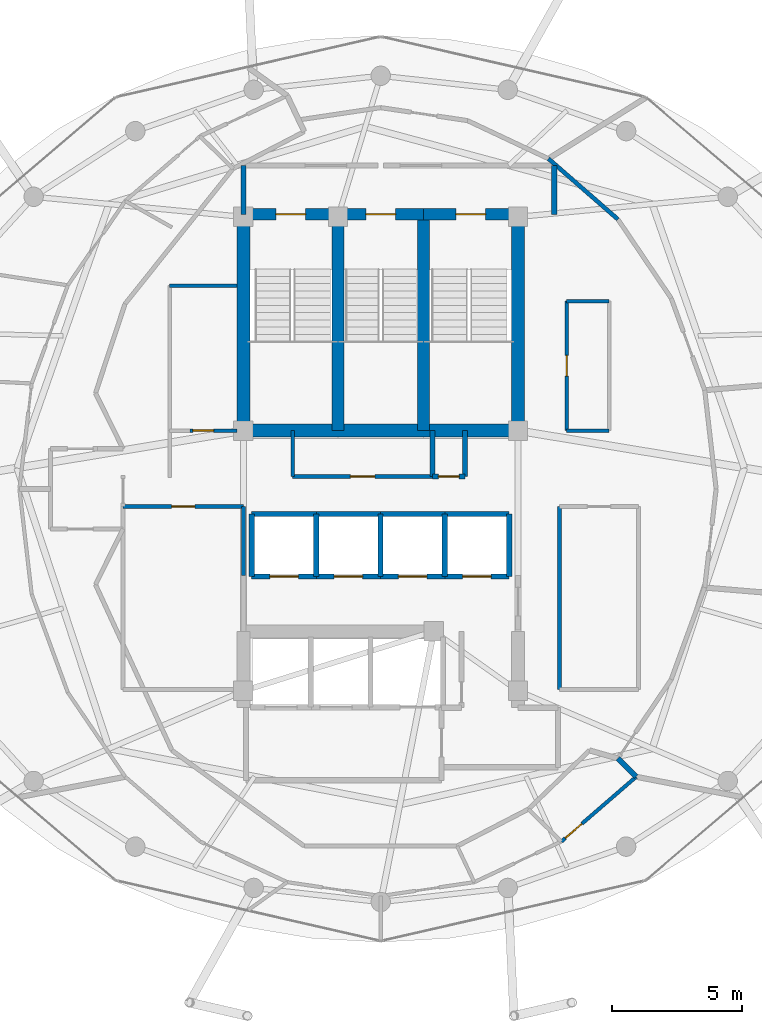
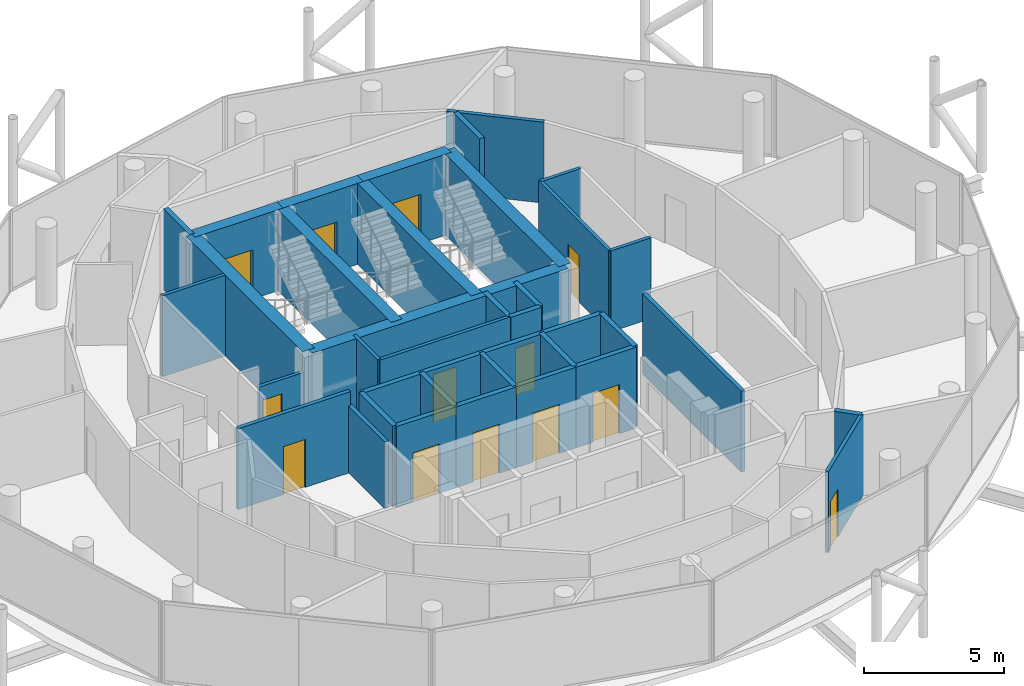
# One storey, part 21 of 24: 39 walls, 13 doors, 13 openings.
"""IFC4 building model written with IfcOpenShell, lengths in metres."""

from ifc_helpers import new_model, si_unit, direction, frame, frame_2d, origin, place, context, subcontext, project, spatial, rectangle, extrude, material, layer, layer_set, type_object, element, fill, save


model = new_model("IFC4")

# Units and contexts
model_context = context("Model", 3, precision=1e-05, world=origin(), true_north=direction((0.0, 1.0)))
body_context = subcontext(model_context, "Body", "Model", "MODEL_VIEW")
ifc_project = project(units=[si_unit("LENGTHUNIT", "METRE"), si_unit("AREAUNIT", "SQUARE_METRE"), si_unit("VOLUMEUNIT", "CUBIC_METRE"), si_unit("PLANEANGLEUNIT", "RADIAN"), si_unit("MASSUNIT", "GRAM", prefix="KILO")], contexts=[model_context])

# Site, building, storey
site_placement = place(None, origin())
site = spatial("IfcSite", under=ifc_project, at=site_placement, CompositionType="ELEMENT")
building_placement = place(site_placement, origin())
building = spatial("IfcBuilding", under=site, at=building_placement, Name="Nuhasar Tower", CompositionType="ELEMENT")
storey_placement = place(building_placement, frame((0.0, 0.0, 286.0)))
storey = spatial("IfcBuildingStorey", under=building, at=storey_placement, Name="L71", CompositionType="ELEMENT", Elevation=286.0)

# Wall, opening, door
ifc_material_1 = material(Name="Concrete C50/60", Category="concrete")
ifc_layer_1 = layer(ifc_material_1, 0.449951171875)
ifc_layer_set_1 = layer_set([ifc_layer_1], Name="Concrete C50/60")
wall_type_1 = type_object("IfcWallType", Name="WL-CORE-450", PredefinedType="SHEAR", material=ifc_layer_set_1)
wall_1_placement = place(storey_placement, frame((37.35009765625, 37.39990234375, 0.0), z_axis=(0.0, 0.0, 1.0), x_axis=(-1.0, 0.0, 0.0)))
wall_1 = element("IfcWall", 1, at=wall_1_placement, inside=storey, type_object=wall_type_1, Name="L71 Stairwell Shear Wall ST01-N", PredefinedType="SHEAR", context=body_context, shape_type="SweptSolid", body=[
    extrude(rectangle(XDim=3.650146484375, YDim=0.449951171875, at=frame_2d((1.8251953125, 0.0))), origin(), (0.0, 0.0, 1.0), 3.5400390625),
])
opening_1_placement = place(wall_1_placement, frame((1.25, 0.0, 0.0)))
opening_1 = element("IfcOpeningElement", 2, at=opening_1_placement, cuts=wall_1, Name="Opening DS-01", PredefinedType="OPENING", context=body_context, shape_type="SweptSolid", body=[
    extrude(rectangle(XDim=1.14990234375, YDim=2.14990234375, at=frame_2d((0.574951171875, 1.074951171875))), frame((0.0, 0.23486328125, 0.0), z_axis=(0.0, -1.0, 0.0), x_axis=(1.0, 0.0, 0.0)), (0.0, 0.0, 1.0), 0.469970703125),
])
ifc_material_2 = material(Name="Steel S355", Category="steel")
door_type_1 = type_object("IfcDoorType", Name="DR-STAIR-FD120-1150", OperationType="NOTDEFINED", PredefinedType="DOOR", material=ifc_material_2)
door_1_placement = place(opening_1_placement, origin())
door_1 = element("IfcDoor", 3, at=door_1_placement, inside=storey, type_object=door_type_1, Name="L71 Exit Stair ST-01 Door", OperationType="SINGLE_SWING_RIGHT", OverallHeight=2.14990234375, OverallWidth=1.14990234375, PredefinedType="DOOR", context=body_context, shape_type="SweptSolid", body=[
    extrude(rectangle(XDim=1.14990234375, YDim=2.14990234375, at=frame_2d((0.574951171875, 1.074951171875))), frame((0.0, 0.02490234375, 0.0), z_axis=(0.0, -1.0, 0.0), x_axis=(1.0, 0.0, 0.0)), (0.0, 0.0, 1.0), 0.050048828125),
])
fill(opening_1, door_1)

# Wall
wall_2_placement = place(storey_placement, frame((37.35009765625, 29.050048828125, 0.0), z_axis=(0.0, 0.0, 1.0), x_axis=(0.0, 1.0, 0.0)))
element("IfcWall", 4, at=wall_2_placement, inside=storey, type_object=wall_type_1, Name="L71 Stairwell Shear Wall ST01-E", PredefinedType="SHEAR", context=body_context, shape_type="SweptSolid", body=[
    extrude(rectangle(XDim=8.349853515625, YDim=0.449951171875, at=frame_2d((4.1748046875, 0.0))), origin(), (0.0, 0.0, 1.0), 3.5400390625),
])

# Wall, opening, door
wall_3_placement = place(storey_placement, frame((40.64990234375, 37.39990234375, 0.0), z_axis=(0.0, 0.0, 1.0), x_axis=(-1.0, 0.0, 0.0)))
wall_3 = element("IfcWall", 5, at=wall_3_placement, inside=storey, type_object=wall_type_1, Name="L71 Stairwell Shear Wall ST03-N", PredefinedType="SHEAR", context=body_context, shape_type="SweptSolid", body=[
    extrude(rectangle(XDim=3.2998046875, YDim=0.449951171875, at=frame_2d((1.64990234375, 0.0))), origin(), (0.0, 0.0, 1.0), 3.5400390625),
])
opening_2_placement = place(wall_3_placement, frame((1.074951171875, 0.0, 0.0)))
opening_2 = element("IfcOpeningElement", 6, at=opening_2_placement, cuts=wall_3, Name="Opening DS-01", PredefinedType="OPENING", context=body_context, shape_type="SweptSolid", body=[
    extrude(rectangle(XDim=1.14990234375, YDim=2.14990234375, at=frame_2d((0.574951171875, 1.074951171875))), frame((0.0, 0.23486328125, 0.0), z_axis=(0.0, -1.0, 0.0), x_axis=(1.0, 0.0, 0.0)), (0.0, 0.0, 1.0), 0.469970703125),
])
door_2_placement = place(opening_2_placement, origin())
door_2 = element("IfcDoor", 7, at=door_2_placement, inside=storey, type_object=door_type_1, Name="L71 Exit Stair ST-03 Door", OperationType="SINGLE_SWING_RIGHT", OverallHeight=2.14990234375, OverallWidth=1.14990234375, PredefinedType="DOOR", context=body_context, shape_type="SweptSolid", body=[
    extrude(rectangle(XDim=1.14990234375, YDim=2.14990234375, at=frame_2d((0.574951171875, 1.074951171875))), frame((0.0, 0.02490234375, 0.0), z_axis=(0.0, -1.0, 0.0), x_axis=(1.0, 0.0, 0.0)), (0.0, 0.0, 1.0), 0.050048828125),
])
fill(opening_2, door_2)

# Wall
wall_4_placement = place(storey_placement, frame((40.64990234375, 29.050048828125, 0.0), z_axis=(0.0, 0.0, 1.0), x_axis=(0.0, 1.0, 0.0)))
element("IfcWall", 8, at=wall_4_placement, inside=storey, type_object=wall_type_1, Name="L71 Stairwell Shear Wall ST03-E", PredefinedType="SHEAR", context=body_context, shape_type="SweptSolid", body=[
    extrude(rectangle(XDim=8.349853515625, YDim=0.449951171875, at=frame_2d((4.1748046875, 0.0))), origin(), (0.0, 0.0, 1.0), 3.5400390625),
])

# Wall, opening, door
wall_5_placement = place(storey_placement, frame((44.300048828125, 37.39990234375, 0.0), z_axis=(0.0, 0.0, 1.0), x_axis=(-1.0, 0.0, 0.0)))
wall_5 = element("IfcWall", 9, at=wall_5_placement, inside=storey, type_object=wall_type_1, Name="L71 Stairwell Shear Wall ST02-N", PredefinedType="SHEAR", context=body_context, shape_type="SweptSolid", body=[
    extrude(rectangle(XDim=3.650146484375, YDim=0.449951171875, at=frame_2d((1.8251953125, 0.0))), origin(), (0.0, 0.0, 1.0), 3.5400390625),
])
opening_3_placement = place(wall_5_placement, frame((1.25, 0.0, 0.0)))
opening_3 = element("IfcOpeningElement", 10, at=opening_3_placement, cuts=wall_5, Name="Opening DS-01", PredefinedType="OPENING", context=body_context, shape_type="SweptSolid", body=[
    extrude(rectangle(XDim=1.14990234375, YDim=2.14990234375, at=frame_2d((0.574951171875, 1.074951171875))), frame((0.0, 0.23486328125, 0.0), z_axis=(0.0, -1.0, 0.0), x_axis=(1.0, 0.0, 0.0)), (0.0, 0.0, 1.0), 0.469970703125),
])
door_3_placement = place(opening_3_placement, origin())
door_3 = element("IfcDoor", 11, at=door_3_placement, inside=storey, type_object=door_type_1, Name="L71 Exit Stair ST-02 Door", OperationType="SINGLE_SWING_LEFT", OverallHeight=2.14990234375, OverallWidth=1.14990234375, PredefinedType="DOOR", context=body_context, shape_type="SweptSolid", body=[
    extrude(rectangle(XDim=1.14990234375, YDim=2.14990234375, at=frame_2d((0.574951171875, 1.074951171875))), frame((0.0, 0.02490234375, 0.0), z_axis=(0.0, -1.0, 0.0), x_axis=(1.0, 0.0, 0.0)), (0.0, 0.0, 1.0), 0.050048828125),
])
fill(opening_3, door_3)

# Walls
ifc_layer_2 = layer(ifc_material_1, 0.5)
ifc_layer_set_2 = layer_set([ifc_layer_2], Name="Concrete C50/60")
wall_type_2 = type_object("IfcWallType", Name="WL-CORE-500", PredefinedType="SHEAR", material=ifc_layer_set_2)
for number, where, z_axis, x_axis, name in (
    (12, (33.699951171875, 29.050048828125, 0.0), (0.0, 0.0, 1.0), (0.0, 1.0, 0.0), "L71 Core Shear Wall CW-NW CW-500"),
    (13, (44.300048828125, 29.050048828125, 0.0), (0.0, 0.0, 1.0), (0.0, 1.0, 0.0), "L71 Core Shear Wall CW-NE CW-500"),
):
    element("IfcWall", number, at=place(storey_placement, frame(where, z_axis=z_axis, x_axis=x_axis)), inside=storey, type_object=wall_type_2, Name=name, PredefinedType="SHEAR", context=body_context, shape_type="SweptSolid", body=[
        extrude(rectangle(XDim=8.349853515625, YDim=0.5, at=frame_2d((4.1748046875, 0.0))), origin(), (0.0, 0.0, 1.0), 3.5400390625),
    ])
wall_6_placement = place(storey_placement, frame((33.699951171875, 29.050048828125, 0.0), z_axis=(0.0, 0.0, 1.0), x_axis=(1.0, 0.0, 0.0)))
element("IfcWall", 14, at=wall_6_placement, inside=storey, type_object=wall_type_2, Name="L71 Core Shear Wall CW-N1 CW-500", PredefinedType="SHEAR", context=body_context, shape_type="SweptSolid", body=[
    extrude(rectangle(XDim=10.60009765625, YDim=0.5, at=frame_2d((5.300048828125, 0.0))), origin(), (0.0, 0.0, 1.0), 3.5400390625),
])
ifc_material_3 = material(Name="Gypsum Board", Category="gypsum")
ifc_layer_3 = layer(ifc_material_3, 0.159912109375)
ifc_layer_set_3 = layer_set([ifc_layer_3], Name="Gypsum Board")
wall_type_3 = type_object("IfcWallType", Name="WL-CORR-160", PredefinedType="PARTITIONING", material=ifc_layer_set_3)
wall_7_placement = place(storey_placement, frame((33.699951171875, 23.449951171875, 0.0), z_axis=(0.0, 0.0, 1.0), x_axis=(0.0, 1.0, 0.0)))
element("IfcWall", 15, at=wall_7_placement, inside=storey, type_object=wall_type_3, Name="L71 Interior Partition RECL-B1-E", PredefinedType="PARTITIONING", context=body_context, shape_type="SweptSolid", body=[
    extrude(rectangle(XDim=2.670166015625, YDim=0.159912109375, at=frame_2d((1.3349609375, 0.0))), origin(), (0.0, 0.0, 1.0), 2.925048828125),
])

# Wall, opening, door
wall_8_placement = place(storey_placement, frame((33.699951171875, 26.1201171875, 0.0), z_axis=(0.0, 0.0, 1.0), x_axis=(-1.0, 0.0, 0.0)))
wall_8 = element("IfcWall", 16, at=wall_8_placement, inside=storey, type_object=wall_type_3, Name="L71 Interior Partition RECL-B1-N", PredefinedType="PARTITIONING", context=body_context, shape_type="SweptSolid", body=[
    extrude(rectangle(XDim=4.64990234375, YDim=0.159912109375, at=frame_2d((2.324951171875, 0.0))), origin(), (0.0, 0.0, 1.0), 3.5400390625),
])
opening_4_placement = place(wall_8_placement, frame((1.875, 0.0, 0.0)))
opening_4 = element("IfcOpeningElement", 17, at=opening_4_placement, cuts=wall_8, Name="Opening DR-01", PredefinedType="OPENING", context=body_context, shape_type="SweptSolid", body=[
    extrude(rectangle(XDim=0.89990234375, YDim=2.10009765625, at=frame_2d((0.449951171875, 1.050048828125))), frame((0.0, 0.08984375, 0.0), z_axis=(0.0, -1.0, 0.0), x_axis=(1.0, 0.0, 0.0)), (0.0, 0.0, 1.0), 0.179931640625),
])
ifc_material_4 = material(Name="Timber Oak", Category="wood")
door_type_2 = type_object("IfcDoorType", Name="DR-ROOM-900", OperationType="NOTDEFINED", PredefinedType="DOOR", material=ifc_material_4)
door_4_placement = place(opening_4_placement, origin())
door_4 = element("IfcDoor", 18, at=door_4_placement, inside=storey, type_object=door_type_2, Name="L71 Butler Store Door", OperationType="SINGLE_SWING_LEFT", OverallHeight=2.10009765625, OverallWidth=0.89990234375, PredefinedType="DOOR", context=body_context, shape_type="SweptSolid", body=[
    extrude(rectangle(XDim=0.89990234375, YDim=2.10009765625, at=frame_2d((0.449951171875, 1.050048828125))), frame((0.0, 0.02490234375, 0.0), z_axis=(0.0, -1.0, 0.0), x_axis=(1.0, 0.0, 0.0)), (0.0, 0.0, 1.0), 0.050048828125),
])
fill(opening_4, door_4)

# Walls
wall_9_placement = place(storey_placement, frame((45.89990234375, 19.050048828125, 0.0), z_axis=(0.0, 0.0, 1.0), x_axis=(0.0, 1.0, 0.0)))
element("IfcWall", 19, at=wall_9_placement, inside=storey, type_object=wall_type_3, Name="L71 Interior Partition RECL-B2-W", PredefinedType="PARTITIONING", context=body_context, shape_type="SweptSolid", body=[
    extrude(rectangle(XDim=7.070068359375, YDim=0.159912109375, at=frame_2d((3.53515625, 0.0))), origin(), (0.0, 0.0, 1.0), 3.5400390625),
])
wall_10_placement = place(storey_placement, frame((48.156982421875, 37.208984375, 0.0), z_axis=(0.0, 0.0, 1.0), x_axis=(-0.753625455067, 0.65730409513, 0.0)))
element("IfcWall", 20, at=wall_10_placement, inside=storey, type_object=wall_type_3, Name="L71 Interior Partition CORR-06", PredefinedType="PARTITIONING", context=body_context, shape_type="SweptSolid", body=[
    extrude(rectangle(XDim=3.55859375, YDim=0.159912109375, at=frame_2d((1.779296875, 0.0))), origin(), (0.0, 0.0, 1.0), 3.5400390625),
])
ifc_material_5 = material(Name="Concrete C45/55", Category="concrete")
ifc_layer_4 = layer(ifc_material_5, 0.199951171875)
ifc_layer_set_4 = layer_set([ifc_layer_4], Name="Concrete C45/55")
wall_type_4 = type_object("IfcWallType", Name="WL-LOBBY-200", PredefinedType="SOLIDWALL", material=ifc_layer_set_4)
for number, where, z_axis, x_axis, name in (
    (21, (33.699951171875, 37.39990234375, 0.0), (0.0, 0.0, 1.0), (0.0, 1.0, 0.0), "L71 Interior Partition NSL-W"),
    (22, (45.699951171875, 37.39990234375, 0.0), (0.0, 0.0, 1.0), (0.0, 1.0, 0.0), "L71 Interior Partition NSL-E"),
):
    element("IfcWall", number, at=place(storey_placement, frame(where, z_axis=z_axis, x_axis=x_axis)), inside=storey, type_object=wall_type_4, Name=name, PredefinedType="SOLIDWALL", context=body_context, shape_type="SweptSolid", body=[
        extrude(rectangle(XDim=1.880126953125, YDim=0.199951171875, at=frame_2d((0.93994140625, 0.0))), origin(), (0.0, 0.0, 1.0), 3.5400390625),
    ])
ifc_layer_5 = layer(ifc_material_5, 0.199951171875)
ifc_layer_set_5 = layer_set([ifc_layer_5], Name="Concrete C45/55")
wall_type_5 = type_object("IfcWallType", Name="WL-SHAFT-200", PredefinedType="SOLIDWALL", material=ifc_layer_set_5)
for number, where, z_axis, x_axis, name in (
    (23, (41.0, 27.280029296875, 0.0), (0.0, 0.0, 1.0), (0.0, 1.0, 0.0), "L71 Interior Partition RSRN-W"),
    (24, (42.260009765625, 27.280029296875, 0.0), (0.0, 0.0, 1.0), (0.0, 1.0, 0.0), "L71 Interior Partition RSRN-E"),
):
    element("IfcWall", number, at=place(storey_placement, frame(where, z_axis=z_axis, x_axis=x_axis)), inside=storey, type_object=wall_type_5, Name=name, PredefinedType="SOLIDWALL", context=body_context, shape_type="SweptSolid", body=[
        extrude(rectangle(XDim=1.77001953125, YDim=0.199951171875, at=frame_2d((0.885009765625, 0.0))), origin(), (0.0, 0.0, 1.0), 3.5400390625),
    ])

# Wall, opening, door
wall_11_placement = place(storey_placement, frame((41.0, 27.280029296875, 0.0), z_axis=(0.0, 0.0, 1.0), x_axis=(1.0, 0.0, 0.0)))
wall_11 = element("IfcWall", 25, at=wall_11_placement, inside=storey, type_object=wall_type_5, Name="L71 Interior Partition RSRN-S", PredefinedType="SOLIDWALL", context=body_context, shape_type="SweptSolid", body=[
    extrude(rectangle(XDim=1.260009765625, YDim=0.199951171875, at=frame_2d((0.6298828125, 0.0))), origin(), (0.0, 0.0, 1.0), 3.5400390625),
])
opening_5_placement = place(wall_11_placement, frame((0.22998046875, 0.0, 0.0)))
opening_5 = element("IfcOpeningElement", 26, at=opening_5_placement, cuts=wall_11, Name="Opening DM-01", PredefinedType="OPENING", context=body_context, shape_type="SweptSolid", body=[
    extrude(rectangle(XDim=0.800048828125, YDim=2.050048828125, at=frame_2d((0.39990234375, 1.02490234375))), frame((0.0, 0.10986328125, 0.0), z_axis=(0.0, -1.0, 0.0), x_axis=(1.0, 0.0, 0.0)), (0.0, 0.0, 1.0), 0.219970703125),
])
door_type_3 = type_object("IfcDoorType", Name="DR-RISER-FD60-800", OperationType="NOTDEFINED", PredefinedType="DOOR", material=ifc_material_2)
door_5_placement = place(opening_5_placement, origin())
door_5 = element("IfcDoor", 27, at=door_5_placement, inside=storey, type_object=door_type_3, Name="L71 North Smoke Riser Door", OperationType="SINGLE_SWING_RIGHT", OverallHeight=2.050048828125, OverallWidth=0.800048828125, PredefinedType="DOOR", context=body_context, shape_type="SweptSolid", body=[
    extrude(rectangle(XDim=0.800048828125, YDim=2.050048828125, at=frame_2d((0.39990234375, 1.02490234375))), frame((0.0, 0.02490234375, 0.0), z_axis=(0.0, -1.0, 0.0), x_axis=(1.0, 0.0, 0.0)), (0.0, 0.0, 1.0), 0.050048828125),
])
fill(opening_5, door_5)

wall_12_placement = place(storey_placement, frame((34.02001953125, 23.419921875, 0.0), z_axis=(0.0, 0.0, 1.0), x_axis=(1.0, 0.0, 0.0)))
wall_12 = element("IfcWall", 28, at=wall_12_placement, inside=storey, type_object=wall_type_5, Name="L71 Interior Partition SHF-PL-H01-S", PredefinedType="SOLIDWALL", context=body_context, shape_type="SweptSolid", body=[
    extrude(rectangle(XDim=2.5, YDim=0.199951171875, at=frame_2d((1.25, 0.0))), origin(), (0.0, 0.0, 1.0), 3.5400390625),
])
opening_6_placement = place(wall_12_placement, frame((0.699951171875, 0.0, 0.0)))
opening_6 = element("IfcOpeningElement", 29, at=opening_6_placement, cuts=wall_12, Name="Opening LD-H01", PredefinedType="OPENING", context=body_context, shape_type="SweptSolid", body=[
    extrude(rectangle(XDim=1.10009765625, YDim=2.14990234375, at=frame_2d((0.550048828125, 1.074951171875))), frame((0.0, 0.10986328125, 0.0), z_axis=(0.0, -1.0, 0.0), x_axis=(1.0, 0.0, 0.0)), (0.0, 0.0, 1.0), 0.219970703125),
])
ifc_material_6 = material(Name="Stainless Steel 316L", Category="steel")
door_type_4 = type_object("IfcDoorType", Name="LD-PAX-1100", OperationType="DOUBLE_DOOR_SLIDING", PredefinedType="DOOR", material=ifc_material_6)
door_6_placement = place(opening_6_placement, origin())
door_6 = element("IfcDoor", 30, at=door_6_placement, inside=storey, type_object=door_type_4, Name="L71 Lift Landing Door PL-H01", OperationType="DOUBLE_DOOR_SLIDING", OverallHeight=2.14990234375, OverallWidth=1.10009765625, PredefinedType="DOOR", context=body_context, shape_type="SweptSolid", body=[
    extrude(rectangle(XDim=1.10009765625, YDim=2.14990234375, at=frame_2d((0.550048828125, 1.074951171875))), frame((0.0, 0.02490234375, 0.0), z_axis=(0.0, -1.0, 0.0), x_axis=(1.0, 0.0, 0.0)), (0.0, 0.0, 1.0), 0.050048828125),
])
fill(opening_6, door_6)

# Walls
wall_13_placement = place(storey_placement, frame((34.02001953125, 25.830078125, 0.0), z_axis=(0.0, 0.0, 1.0), x_axis=(1.0, 0.0, 0.0)))
element("IfcWall", 31, at=wall_13_placement, inside=storey, type_object=wall_type_5, Name="L71 Interior Partition SHF-PL-H01-N", PredefinedType="SOLIDWALL", context=body_context, shape_type="SweptSolid", body=[
    extrude(rectangle(XDim=2.5, YDim=0.199951171875, at=frame_2d((1.25, 0.0))), origin(), (0.0, 0.0, 1.0), 3.5400390625),
])
for number, where, z_axis, x_axis, name in (
    (32, (34.02001953125, 23.419921875, 0.0), (0.0, 0.0, 1.0), (0.0, 1.0, 0.0), "L71 Interior Partition SHF-PL-H01-W"),
    (33, (36.510009765625, 23.419921875, 0.0), (0.0, 0.0, 1.0), (0.0, 1.0, 0.0), "L71 Interior Partition SHF-PL-H01-E"),
):
    element("IfcWall", number, at=place(storey_placement, frame(where, z_axis=z_axis, x_axis=x_axis)), inside=storey, type_object=wall_type_5, Name=name, PredefinedType="SOLIDWALL", context=body_context, shape_type="SweptSolid", body=[
        extrude(rectangle(XDim=2.41015625, YDim=0.199951171875, at=frame_2d((1.205078125, 0.0))), origin(), (0.0, 0.0, 1.0), 3.5400390625),
    ])

# Wall, opening, door
wall_14_placement = place(storey_placement, frame((36.5, 23.419921875, 0.0), z_axis=(0.0, 0.0, 1.0), x_axis=(1.0, 0.0, 0.0)))
wall_14 = element("IfcWall", 34, at=wall_14_placement, inside=storey, type_object=wall_type_5, Name="L71 Interior Partition SHF-PL-H02-S", PredefinedType="SOLIDWALL", context=body_context, shape_type="SweptSolid", body=[
    extrude(rectangle(XDim=2.5, YDim=0.199951171875, at=frame_2d((1.25, 0.0))), origin(), (0.0, 0.0, 1.0), 3.5400390625),
])
opening_7_placement = place(wall_14_placement, frame((0.699951171875, 0.0, 0.0)))
opening_7 = element("IfcOpeningElement", 35, at=opening_7_placement, cuts=wall_14, Name="Opening LD-H02", PredefinedType="OPENING", context=body_context, shape_type="SweptSolid", body=[
    extrude(rectangle(XDim=1.10009765625, YDim=2.14990234375, at=frame_2d((0.550048828125, 1.074951171875))), frame((0.0, 0.10986328125, 0.0), z_axis=(0.0, -1.0, 0.0), x_axis=(1.0, 0.0, 0.0)), (0.0, 0.0, 1.0), 0.219970703125),
])
door_7_placement = place(opening_7_placement, origin())
door_7 = element("IfcDoor", 36, at=door_7_placement, inside=storey, type_object=door_type_4, Name="L71 Lift Landing Door PL-H02", OperationType="DOUBLE_DOOR_SLIDING", OverallHeight=2.14990234375, OverallWidth=1.10009765625, PredefinedType="DOOR", context=body_context, shape_type="SweptSolid", body=[
    extrude(rectangle(XDim=1.10009765625, YDim=2.14990234375, at=frame_2d((0.550048828125, 1.074951171875))), frame((0.0, 0.02490234375, 0.0), z_axis=(0.0, -1.0, 0.0), x_axis=(1.0, 0.0, 0.0)), (0.0, 0.0, 1.0), 0.050048828125),
])
fill(opening_7, door_7)

# Walls
wall_15_placement = place(storey_placement, frame((36.5, 25.830078125, 0.0), z_axis=(0.0, 0.0, 1.0), x_axis=(1.0, 0.0, 0.0)))
element("IfcWall", 37, at=wall_15_placement, inside=storey, type_object=wall_type_5, Name="L71 Interior Partition SHF-PL-H02-N", PredefinedType="SOLIDWALL", context=body_context, shape_type="SweptSolid", body=[
    extrude(rectangle(XDim=2.5, YDim=0.199951171875, at=frame_2d((1.25, 0.0))), origin(), (0.0, 0.0, 1.0), 3.5400390625),
])
wall_16_placement = place(storey_placement, frame((38.989990234375, 23.419921875, 0.0), z_axis=(0.0, 0.0, 1.0), x_axis=(0.0, 1.0, 0.0)))
element("IfcWall", 38, at=wall_16_placement, inside=storey, type_object=wall_type_5, Name="L71 Interior Partition SHF-PL-H02-E", PredefinedType="SOLIDWALL", context=body_context, shape_type="SweptSolid", body=[
    extrude(rectangle(XDim=2.41015625, YDim=0.199951171875, at=frame_2d((1.205078125, 0.0))), origin(), (0.0, 0.0, 1.0), 3.5400390625),
])

# Wall, opening, door
wall_17_placement = place(storey_placement, frame((38.97998046875, 23.419921875, 0.0), z_axis=(0.0, 0.0, 1.0), x_axis=(1.0, 0.0, 0.0)))
wall_17 = element("IfcWall", 39, at=wall_17_placement, inside=storey, type_object=wall_type_5, Name="L71 Interior Partition SHF-PL-H03-S", PredefinedType="SOLIDWALL", context=body_context, shape_type="SweptSolid", body=[
    extrude(rectangle(XDim=2.5, YDim=0.199951171875, at=frame_2d((1.25, 0.0))), origin(), (0.0, 0.0, 1.0), 3.5400390625),
])
opening_8_placement = place(wall_17_placement, frame((0.699951171875, 0.0, 0.0)))
opening_8 = element("IfcOpeningElement", 40, at=opening_8_placement, cuts=wall_17, Name="Opening LD-H03", PredefinedType="OPENING", context=body_context, shape_type="SweptSolid", body=[
    extrude(rectangle(XDim=1.10009765625, YDim=2.14990234375, at=frame_2d((0.550048828125, 1.074951171875))), frame((0.0, 0.10986328125, 0.0), z_axis=(0.0, -1.0, 0.0), x_axis=(1.0, 0.0, 0.0)), (0.0, 0.0, 1.0), 0.219970703125),
])
door_8_placement = place(opening_8_placement, origin())
door_8 = element("IfcDoor", 41, at=door_8_placement, inside=storey, type_object=door_type_4, Name="L71 Lift Landing Door PL-H03", OperationType="DOUBLE_DOOR_SLIDING", OverallHeight=2.14990234375, OverallWidth=1.10009765625, PredefinedType="DOOR", context=body_context, shape_type="SweptSolid", body=[
    extrude(rectangle(XDim=1.10009765625, YDim=2.14990234375, at=frame_2d((0.550048828125, 1.074951171875))), frame((0.0, 0.02490234375, 0.0), z_axis=(0.0, -1.0, 0.0), x_axis=(1.0, 0.0, 0.0)), (0.0, 0.0, 1.0), 0.050048828125),
])
fill(opening_8, door_8)

# Walls
wall_18_placement = place(storey_placement, frame((38.97998046875, 25.830078125, 0.0), z_axis=(0.0, 0.0, 1.0), x_axis=(1.0, 0.0, 0.0)))
element("IfcWall", 42, at=wall_18_placement, inside=storey, type_object=wall_type_5, Name="L71 Interior Partition SHF-PL-H03-N", PredefinedType="SOLIDWALL", context=body_context, shape_type="SweptSolid", body=[
    extrude(rectangle(XDim=2.5, YDim=0.199951171875, at=frame_2d((1.25, 0.0))), origin(), (0.0, 0.0, 1.0), 3.5400390625),
])
wall_19_placement = place(storey_placement, frame((41.469970703125, 23.419921875, 0.0), z_axis=(0.0, 0.0, 1.0), x_axis=(0.0, 1.0, 0.0)))
element("IfcWall", 43, at=wall_19_placement, inside=storey, type_object=wall_type_5, Name="L71 Interior Partition SHF-PL-H03-E", PredefinedType="SOLIDWALL", context=body_context, shape_type="SweptSolid", body=[
    extrude(rectangle(XDim=2.41015625, YDim=0.199951171875, at=frame_2d((1.205078125, 0.0))), origin(), (0.0, 0.0, 1.0), 3.5400390625),
])

# Wall, opening, door
wall_20_placement = place(storey_placement, frame((41.4599609375, 23.419921875, 0.0), z_axis=(0.0, 0.0, 1.0), x_axis=(1.0, 0.0, 0.0)))
wall_20 = element("IfcWall", 44, at=wall_20_placement, inside=storey, type_object=wall_type_5, Name="L71 Interior Partition SHF-PL-H04-S", PredefinedType="SOLIDWALL", context=body_context, shape_type="SweptSolid", body=[
    extrude(rectangle(XDim=2.5, YDim=0.199951171875, at=frame_2d((1.25, 0.0))), origin(), (0.0, 0.0, 1.0), 3.5400390625),
])
opening_9_placement = place(wall_20_placement, frame((0.699951171875, 0.0, 0.0)))
opening_9 = element("IfcOpeningElement", 45, at=opening_9_placement, cuts=wall_20, Name="Opening LD-H04", PredefinedType="OPENING", context=body_context, shape_type="SweptSolid", body=[
    extrude(rectangle(XDim=1.10009765625, YDim=2.14990234375, at=frame_2d((0.550048828125, 1.074951171875))), frame((0.0, 0.10986328125, 0.0), z_axis=(0.0, -1.0, 0.0), x_axis=(1.0, 0.0, 0.0)), (0.0, 0.0, 1.0), 0.219970703125),
])
door_9_placement = place(opening_9_placement, origin())
door_9 = element("IfcDoor", 46, at=door_9_placement, inside=storey, type_object=door_type_4, Name="L71 Lift Landing Door PL-H04", OperationType="DOUBLE_DOOR_SLIDING", OverallHeight=2.14990234375, OverallWidth=1.10009765625, PredefinedType="DOOR", context=body_context, shape_type="SweptSolid", body=[
    extrude(rectangle(XDim=1.10009765625, YDim=2.14990234375, at=frame_2d((0.550048828125, 1.074951171875))), frame((0.0, 0.02490234375, 0.0), z_axis=(0.0, -1.0, 0.0), x_axis=(1.0, 0.0, 0.0)), (0.0, 0.0, 1.0), 0.050048828125),
])
fill(opening_9, door_9)

# Walls
wall_21_placement = place(storey_placement, frame((41.4599609375, 25.830078125, 0.0), z_axis=(0.0, 0.0, 1.0), x_axis=(1.0, 0.0, 0.0)))
element("IfcWall", 47, at=wall_21_placement, inside=storey, type_object=wall_type_5, Name="L71 Interior Partition SHF-PL-H04-N", PredefinedType="SOLIDWALL", context=body_context, shape_type="SweptSolid", body=[
    extrude(rectangle(XDim=2.5, YDim=0.199951171875, at=frame_2d((1.25, 0.0))), origin(), (0.0, 0.0, 1.0), 3.5400390625),
])
wall_22_placement = place(storey_placement, frame((43.9599609375, 23.419921875, 0.0), z_axis=(0.0, 0.0, 1.0), x_axis=(0.0, 1.0, 0.0)))
element("IfcWall", 48, at=wall_22_placement, inside=storey, type_object=wall_type_5, Name="L71 Interior Partition SHF-PL-H04-E", PredefinedType="SOLIDWALL", context=body_context, shape_type="SweptSolid", body=[
    extrude(rectangle(XDim=2.41015625, YDim=0.199951171875, at=frame_2d((1.205078125, 0.0))), origin(), (0.0, 0.0, 1.0), 3.5400390625),
])
ifc_material_7 = material(Name="Concrete C40/50 precast", Category="concrete")
ifc_layer_6 = layer(ifc_material_7, 0.199951171875)
ifc_layer_set_6 = layer_set([ifc_layer_6], Name="Concrete C40/50 precast")
wall_type_6 = type_object("IfcWallType", Name="WL-UNIT-200", PredefinedType="PARTITIONING", material=ifc_layer_set_6)
wall_23_placement = place(storey_placement, frame((48.156982421875, 16.39111328125, 0.0), z_axis=(0.0, 0.0, 1.0), x_axis=(0.707106781187, -0.707106781187, 0.0)))
element("IfcWall", 49, at=wall_23_placement, inside=storey, type_object=wall_type_6, Name="L71 Interior Partition URAD-42-SW-S2", PredefinedType="PARTITIONING", context=body_context, shape_type="SweptSolid", body=[
    extrude(rectangle(XDim=1.0, YDim=0.199951171875, at=frame_2d((0.5, 0.0))), origin(), (0.0, 0.0, 1.0), 3.5400390625),
])
ifc_layer_7 = layer(ifc_material_7, 0.139892578125)
ifc_layer_set_7 = layer_set([ifc_layer_7], Name="Concrete C40/50 precast")
wall_type_7 = type_object("IfcWallType", Name="WL-WET-140", PredefinedType="PARTITIONING", material=ifc_layer_set_7)
wall_24_placement = place(storey_placement, frame((35.60009765625, 27.280029296875, 0.0), z_axis=(0.0, 0.0, 1.0), x_axis=(0.0, 1.0, 0.0)))
element("IfcWall", 50, at=wall_24_placement, inside=storey, type_object=wall_type_7, Name="L71 Interior Partition CSVC-W", PredefinedType="PARTITIONING", context=body_context, shape_type="SweptSolid", body=[
    extrude(rectangle(XDim=1.77001953125, YDim=0.139892578125, at=frame_2d((0.885009765625, 0.0))), origin(), (0.0, 0.0, 1.0), 3.5400390625),
])

# Wall, opening, door
wall_25_placement = place(storey_placement, frame((35.60009765625, 27.280029296875, 0.0), z_axis=(0.0, 0.0, 1.0), x_axis=(1.0, 0.0, 0.0)))
wall_25 = element("IfcWall", 51, at=wall_25_placement, inside=storey, type_object=wall_type_7, Name="L71 Interior Partition CSVC-S", PredefinedType="PARTITIONING", context=body_context, shape_type="SweptSolid", body=[
    extrude(rectangle(XDim=5.39990234375, YDim=0.139892578125, at=frame_2d((2.699951171875, 0.0))), origin(), (0.0, 0.0, 1.0), 3.5400390625),
])
opening_10_placement = place(wall_25_placement, frame((2.22509765625, 0.0, 0.0)))
opening_10 = element("IfcOpeningElement", 52, at=opening_10_placement, cuts=wall_25, Name="Opening DA-01", PredefinedType="OPENING", context=body_context, shape_type="SweptSolid", body=[
    extrude(rectangle(XDim=0.949951171875, YDim=2.10009765625, at=frame_2d((0.47509765625, 1.050048828125))), frame((0.0, 0.080078125, 0.0), z_axis=(0.0, -1.0, 0.0), x_axis=(1.0, 0.0, 0.0)), (0.0, 0.0, 1.0), 0.159912109375),
])
door_type_5 = type_object("IfcDoorType", Name="DR-ACCWC-950", OperationType="NOTDEFINED", PredefinedType="DOOR", material=ifc_material_4)
door_10_placement = place(opening_10_placement, origin())
door_10 = element("IfcDoor", 53, at=door_10_placement, inside=storey, type_object=door_type_5, Name="L71 Core Accessible Restroom Door", OperationType="SINGLE_SWING_LEFT", OverallHeight=2.10009765625, OverallWidth=0.949951171875, PredefinedType="DOOR", context=body_context, shape_type="SweptSolid", body=[
    extrude(rectangle(XDim=0.949951171875, YDim=2.10009765625, at=frame_2d((0.47509765625, 1.050048828125))), frame((0.0, 0.02490234375, 0.0), z_axis=(0.0, -1.0, 0.0), x_axis=(1.0, 0.0, 0.0)), (0.0, 0.0, 1.0), 0.050048828125),
])
fill(opening_10, door_10)

wall_26_placement = place(storey_placement, frame((31.6298828125, 29.050048828125, 0.0), z_axis=(0.0, 0.0, 1.0), x_axis=(1.0, 0.0, 0.0)))
wall_26 = element("IfcWall", 54, at=wall_26_placement, inside=storey, type_object=wall_type_7, Name="L71 Interior Partition K3-NW-S", PredefinedType="PARTITIONING", context=body_context, shape_type="SweptSolid", body=[
    extrude(rectangle(XDim=1.820068359375, YDim=0.139892578125, at=frame_2d((0.91015625, 0.0))), origin(), (0.0, 0.0, 1.0), 2.679931640625),
])
opening_11_placement = place(wall_26_placement, frame((0.1201171875, 0.0, 0.0)))
opening_11 = element("IfcOpeningElement", 55, at=opening_11_placement, cuts=wall_26, Name="Opening DM-01", PredefinedType="OPENING", context=body_context, shape_type="SweptSolid", body=[
    extrude(rectangle(XDim=0.800048828125, YDim=2.050048828125, at=frame_2d((0.39990234375, 1.02490234375))), frame((0.0, 0.080078125, 0.0), z_axis=(0.0, -1.0, 0.0), x_axis=(1.0, 0.0, 0.0)), (0.0, 0.0, 1.0), 0.159912109375),
])
door_11_placement = place(opening_11_placement, origin())
door_11 = element("IfcDoor", 56, at=door_11_placement, inside=storey, type_object=door_type_3, Name="L71 NW Electrical Room Door", OperationType="SINGLE_SWING_LEFT", OverallHeight=2.050048828125, OverallWidth=0.800048828125, PredefinedType="DOOR", context=body_context, shape_type="SweptSolid", body=[
    extrude(rectangle(XDim=0.800048828125, YDim=2.050048828125, at=frame_2d((0.39990234375, 1.02490234375))), frame((0.0, 0.02490234375, 0.0), z_axis=(0.0, -1.0, 0.0), x_axis=(1.0, 0.0, 0.0)), (0.0, 0.0, 1.0), 0.050048828125),
])
fill(opening_11, door_11)

# Wall
wall_27_placement = place(storey_placement, frame((30.85009765625, 34.64990234375, 0.0), z_axis=(0.0, 0.0, 1.0), x_axis=(1.0, 0.0, 0.0)))
element("IfcWall", 57, at=wall_27_placement, inside=storey, type_object=wall_type_7, Name="L71 Interior Partition K3-NW-N", PredefinedType="PARTITIONING", context=body_context, shape_type="SweptSolid", body=[
    extrude(rectangle(XDim=2.599853515625, YDim=0.139892578125, at=frame_2d((1.2998046875, 0.0))), origin(), (0.0, 0.0, 1.0), 3.5400390625),
])

# Wall, opening, door
wall_28_placement = place(storey_placement, frame((46.179931640625, 34.050048828125, 0.0), z_axis=(0.0, 0.0, 1.0), x_axis=(0.0, -1.0, 0.0)))
wall_28 = element("IfcWall", 58, at=wall_28_placement, inside=storey, type_object=wall_type_7, Name="L71 Interior Partition K3-NE-W", PredefinedType="PARTITIONING", context=body_context, shape_type="SweptSolid", body=[
    extrude(rectangle(XDim=5.0, YDim=0.139892578125, at=frame_2d((2.5, 0.0))), origin(), (0.0, 0.0, 1.0), 3.5400390625),
])
opening_12_placement = place(wall_28_placement, frame((2.10009765625, 0.0, 0.0)))
opening_12 = element("IfcOpeningElement", 59, at=opening_12_placement, cuts=wall_28, Name="Opening DM-01", PredefinedType="OPENING", context=body_context, shape_type="SweptSolid", body=[
    extrude(rectangle(XDim=0.800048828125, YDim=2.050048828125, at=frame_2d((0.39990234375, 1.02490234375))), frame((0.0, 0.080078125, 0.0), z_axis=(0.0, -1.0, 0.0), x_axis=(1.0, 0.0, 0.0)), (0.0, 0.0, 1.0), 0.159912109375),
])
door_12_placement = place(opening_12_placement, origin())
door_12 = element("IfcDoor", 60, at=door_12_placement, inside=storey, type_object=door_type_3, Name="L71 NE Switchgear Room Door", OperationType="SINGLE_SWING_RIGHT", OverallHeight=2.050048828125, OverallWidth=0.800048828125, PredefinedType="DOOR", context=body_context, shape_type="SweptSolid", body=[
    extrude(rectangle(XDim=0.800048828125, YDim=2.050048828125, at=frame_2d((0.39990234375, 1.02490234375))), frame((0.0, 0.02490234375, 0.0), z_axis=(0.0, -1.0, 0.0), x_axis=(1.0, 0.0, 0.0)), (0.0, 0.0, 1.0), 0.050048828125),
])
fill(opening_12, door_12)

# Walls
for number, where, z_axis, x_axis, name in (
    (61, (46.179931640625, 29.050048828125, 0.0), (0.0, 0.0, 1.0), (1.0, 0.0, 0.0), "L71 Interior Partition K3-NE-S"),
    (62, (46.179931640625, 34.050048828125, 0.0), (0.0, 0.0, 1.0), (1.0, 0.0, 0.0), "L71 Interior Partition K3-NE-N"),
):
    element("IfcWall", number, at=place(storey_placement, frame(where, z_axis=z_axis, x_axis=x_axis)), inside=storey, type_object=wall_type_7, Name=name, PredefinedType="PARTITIONING", context=body_context, shape_type="SweptSolid", body=[
        extrude(rectangle(XDim=1.64013671875, YDim=0.139892578125, at=frame_2d((0.820068359375, 0.0))), origin(), (0.0, 0.0, 1.0), 3.5400390625),
    ])

# Wall, opening, door
wall_29_placement = place(storey_placement, frame((48.864013671875, 15.68408203125, 0.0), z_axis=(0.0, 0.0, 1.0), x_axis=(-0.756424716633, -0.654080765706, 0.0)))
wall_29 = element("IfcWall", 63, at=wall_29_placement, inside=storey, type_object=wall_type_7, Name="L71 Interior Partition USM-2-B-40", PredefinedType="PARTITIONING", context=body_context, shape_type="SweptSolid", body=[
    extrude(rectangle(XDim=3.819091796875, YDim=0.139892578125, at=frame_2d((1.90966796875, 0.0))), origin(), (0.0, 0.0, 1.0), 3.5400390625),
])
opening_13_placement = place(wall_29_placement, frame((2.76904296875, 0.0, 0.0)))
opening_13 = element("IfcOpeningElement", 64, at=opening_13_placement, cuts=wall_29, Name="Opening DB-01", PredefinedType="OPENING", context=body_context, shape_type="SweptSolid", body=[
    extrude(rectangle(XDim=0.85009765625, YDim=2.10009765625, at=frame_2d((0.425048828125, 1.050048828125))), frame((0.0, 0.080078125, 0.0), z_axis=(0.0, -1.0, 0.0), x_axis=(1.0, 0.0, 0.0)), (0.0, 0.0, 1.0), 0.159912109375),
])
door_type_6 = type_object("IfcDoorType", Name="DR-BATH-850", OperationType="NOTDEFINED", PredefinedType="DOOR", material=ifc_material_4)
door_13_placement = place(opening_13_placement, origin())
door_13 = element("IfcDoor", 65, at=door_13_placement, inside=storey, type_object=door_type_6, Name="L71 South-West Sky Home En-Suite Door", OperationType="SINGLE_SWING_RIGHT", OverallHeight=2.10009765625, OverallWidth=0.85009765625, PredefinedType="DOOR", context=body_context, shape_type="SweptSolid", body=[
    extrude(rectangle(XDim=0.85009765625, YDim=2.10009765625, at=frame_2d((0.425048828125, 1.050048828125))), frame((0.0, 0.02490234375, 0.0), z_axis=(0.0, -1.0, 0.0), x_axis=(1.0, 0.0, 0.0)), (0.0, 0.0, 1.0), 0.050048828125),
])
fill(opening_13, door_13)

save(model, "model.ifc")
